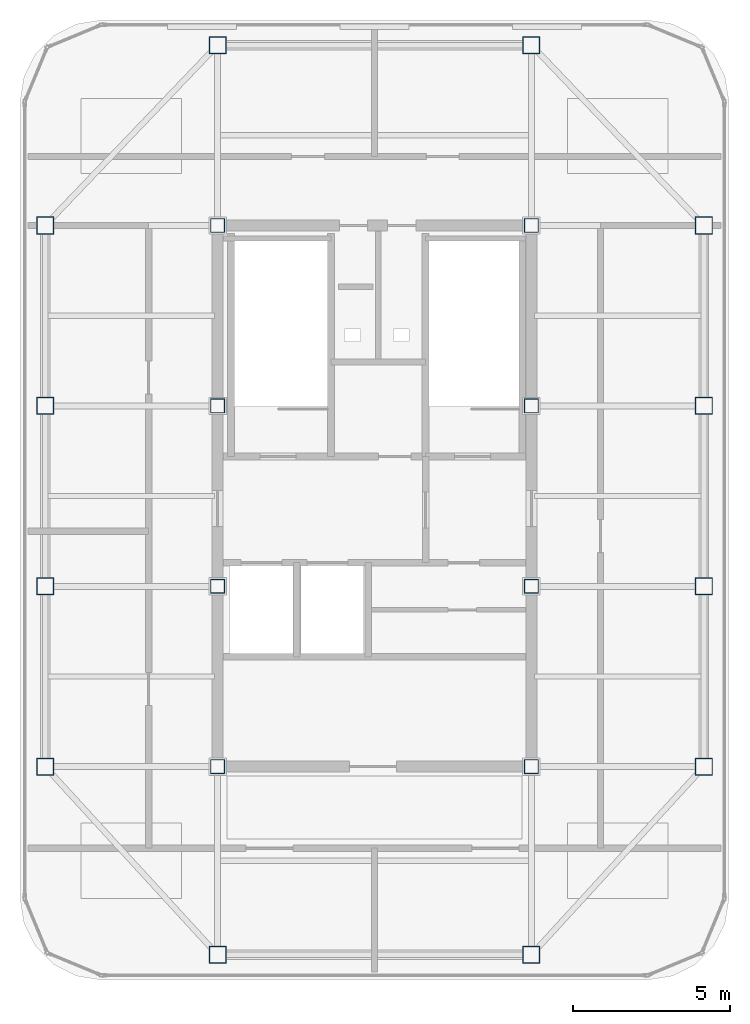
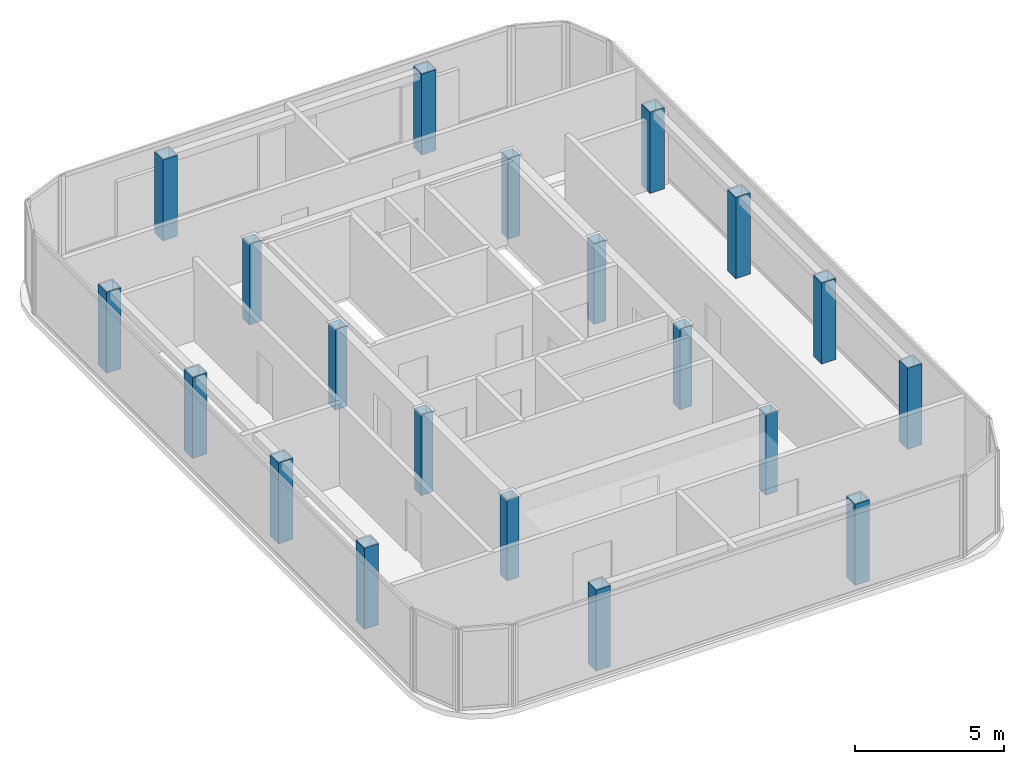
# One storey, part 1 of 11: 20 columns.
"""IFC4 building model written with IfcOpenShell, lengths in metres."""

from ifc_helpers import new_model, si_unit, direction, frame, origin, origin_2d, place, context, subcontext, project, spatial, hollow_rectangle, extrude, source, transform, mapped, material, material_profile, profile_set, type_object, element, save


model = new_model("IFC4")

# Units and contexts
model_context = context("Model", 3, precision=1e-05, world=origin(), true_north=direction((0.0, 1.0)))
body_context = subcontext(model_context, "Body", "Model", "MODEL_VIEW")
ifc_project = project(units=[si_unit("LENGTHUNIT", "METRE"), si_unit("AREAUNIT", "SQUARE_METRE"), si_unit("VOLUMEUNIT", "CUBIC_METRE"), si_unit("PLANEANGLEUNIT", "RADIAN"), si_unit("MASSUNIT", "GRAM", prefix="KILO")], contexts=[model_context])

# Site, building, storey
site_placement = place(None, origin())
site = spatial("IfcSite", under=ifc_project, at=site_placement, CompositionType="ELEMENT")
building_placement = place(site_placement, origin())
building = spatial("IfcBuilding", under=site, at=building_placement, Name="Kolveth Station Tower", CompositionType="ELEMENT")
storey_placement = place(building_placement, frame((0.0, 0.0, 292.89990234375)))
storey = spatial("IfcBuildingStorey", under=building, at=storey_placement, Name="L84", CompositionType="ELEMENT", Elevation=292.89990234375)

# Columns
ifc_material = material(Name="Steel S355", Category="steel")
ifc_material_profile_1 = material_profile(ifc_material, hollow_rectangle(XDim=0.56005859375, YDim=0.56005859375, WallThickness=0.030029296875, at=origin_2d()), Name="BOX560x560x30")
ifc_profile_set_1 = profile_set([ifc_material_profile_1], Name="Steel S355")
column_type_1 = type_object("IfcColumnType", Name="Col_C8", PredefinedType="COLUMN", material=ifc_profile_set_1)
shared_shape_1 = source(origin(), body_context, "Body", "SweptSolid", [
    extrude(hollow_rectangle(XDim=0.56005859375, YDim=0.56005859375, WallThickness=0.030029296875, at=origin_2d()), origin(), (0.0, 0.0, 1.0), 3.31201171875),
])
for number, where, z_axis, x_axis, name in (
    (1, (18.5, 5.5, 0.0), (0.0, 0.0, 1.0), (1.0, 0.0, 0.0), "L84 Tower Column S-X185"),
    (2, (18.5, 34.5, 0.0), (0.0, 0.0, 1.0), (1.0, 0.0, 0.0), "L84 Tower Column N-X185"),
    (3, (28.5, 5.5, 0.0), (0.0, 0.0, 1.0), (1.0, 0.0, 0.0), "L84 Tower Column S-X285"),
    (4, (28.5, 34.5, 0.0), (0.0, 0.0, 1.0), (1.0, 0.0, 0.0), "L84 Tower Column N-X285"),
    (5, (13.0, 11.5, 0.0), (0.0, 0.0, 1.0), (1.0, 0.0, 0.0), "L84 Tower Column W-Y115"),
    (6, (34.0, 11.5, 0.0), (0.0, 0.0, 1.0), (1.0, 0.0, 0.0), "L84 Tower Column E-Y115"),
    (7, (13.0, 17.25, 0.0), (0.0, 0.0, 1.0), (1.0, 0.0, 0.0), "L84 Tower Column W-Y172"),
    (8, (34.0, 17.25, 0.0), (0.0, 0.0, 1.0), (1.0, 0.0, 0.0), "L84 Tower Column E-Y172"),
    (9, (13.0, 23.0, 0.0), (0.0, 0.0, 1.0), (1.0, 0.0, 0.0), "L84 Tower Column W-Y230"),
    (10, (34.0, 23.0, 0.0), (0.0, 0.0, 1.0), (1.0, 0.0, 0.0), "L84 Tower Column E-Y230"),
    (11, (13.0, 28.75, 0.0), (0.0, 0.0, 1.0), (1.0, 0.0, 0.0), "L84 Tower Column W-Y287"),
    (12, (34.0, 28.75, 0.0), (0.0, 0.0, 1.0), (1.0, 0.0, 0.0), "L84 Tower Column E-Y287"),
):
    element("IfcColumn", number, at=place(storey_placement, frame(where, z_axis=z_axis, x_axis=x_axis)), inside=storey, type_object=column_type_1, Name=name, PredefinedType="COLUMN", context=body_context, shape_type="MappedRepresentation", body=[
        mapped(shared_shape_1, transform((0.0, 0.0, 0.0), x_axis=(1.0, 0.0, 0.0), y_axis=(0.0, 1.0, 0.0), z_axis=(0.0, 0.0, 1.0), scale=1.0)),
    ])
ifc_material_profile_2 = material_profile(ifc_material, hollow_rectangle(XDim=0.4599609375, YDim=0.4599609375, WallThickness=0.02490234375, at=origin_2d()), Name="BOX460x460x25")
ifc_profile_set_2 = profile_set([ifc_material_profile_2], Name="Steel S355")
column_type_2 = type_object("IfcColumnType", Name="Col_C9", PredefinedType="COLUMN", material=ifc_profile_set_2)
shared_shape_2 = source(origin(), body_context, "Body", "SweptSolid", [
    extrude(hollow_rectangle(XDim=0.4599609375, YDim=0.4599609375, WallThickness=0.02490234375, at=origin_2d()), origin(), (0.0, 0.0, 1.0), 3.31201171875),
])
for number, where, z_axis, x_axis, name in (
    (13, (18.5, 11.5, 0.0), (0.0, 0.0, 1.0), (1.0, 0.0, 0.0), "L84 Tower Column G-185-115"),
    (14, (18.5, 17.25, 0.0), (0.0, 0.0, 1.0), (1.0, 0.0, 0.0), "L84 Tower Column G-185-172"),
    (15, (18.5, 23.0, 0.0), (0.0, 0.0, 1.0), (1.0, 0.0, 0.0), "L84 Tower Column G-185-230"),
    (16, (18.5, 28.75, 0.0), (0.0, 0.0, 1.0), (1.0, 0.0, 0.0), "L84 Tower Column G-185-287"),
    (17, (28.5, 11.5, 0.0), (0.0, 0.0, 1.0), (1.0, 0.0, 0.0), "L84 Tower Column G-285-115"),
    (18, (28.5, 17.25, 0.0), (0.0, 0.0, 1.0), (1.0, 0.0, 0.0), "L84 Tower Column G-285-172"),
    (19, (28.5, 23.0, 0.0), (0.0, 0.0, 1.0), (1.0, 0.0, 0.0), "L84 Tower Column G-285-230"),
    (20, (28.5, 28.75, 0.0), (0.0, 0.0, 1.0), (1.0, 0.0, 0.0), "L84 Tower Column G-285-287"),
):
    element("IfcColumn", number, at=place(storey_placement, frame(where, z_axis=z_axis, x_axis=x_axis)), inside=storey, type_object=column_type_2, Name=name, PredefinedType="COLUMN", context=body_context, shape_type="MappedRepresentation", body=[
        mapped(shared_shape_2, transform((0.0, 0.0, 0.0), x_axis=(1.0, 0.0, 0.0), y_axis=(0.0, 1.0, 0.0), z_axis=(0.0, 0.0, 1.0), scale=1.0)),
    ])

save(model, "model.ifc")
